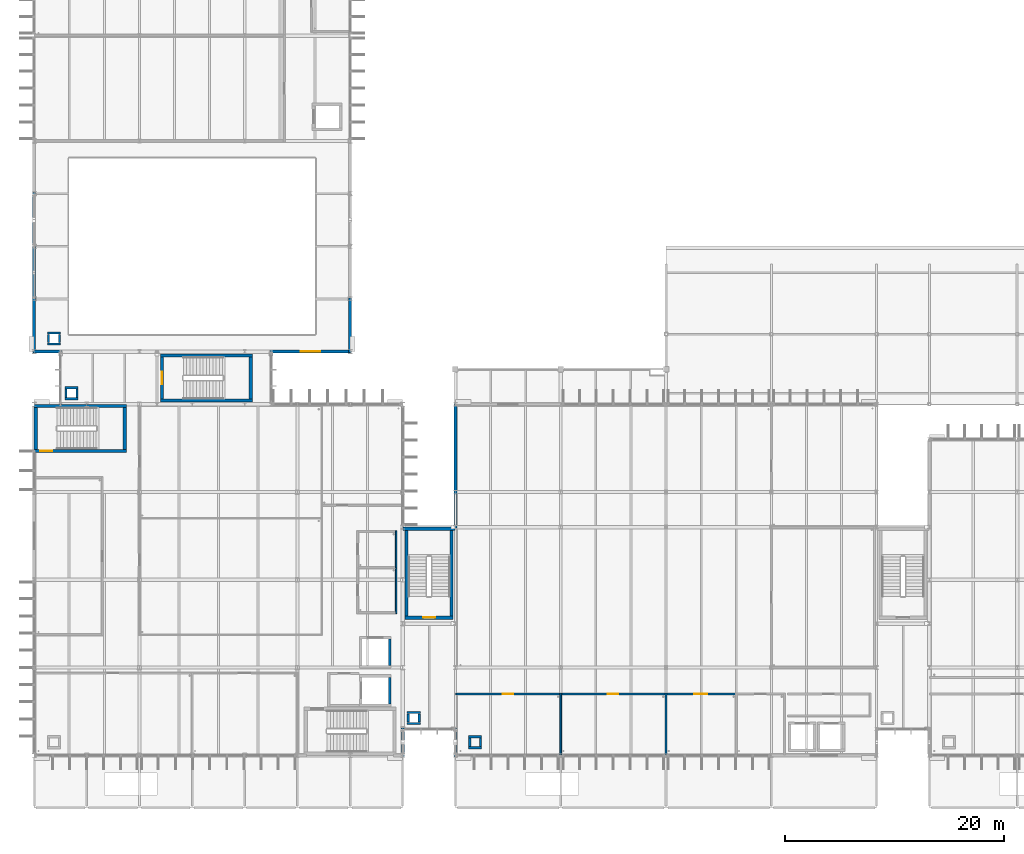
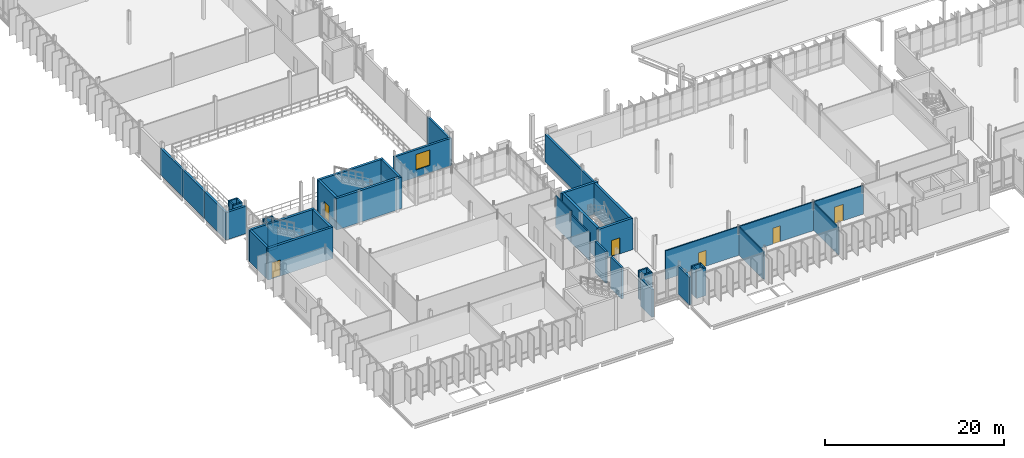
# One storey, part 61 of 107: 46 walls, 6 doors, 1 window, 7 openings.
"""IFC4 building model written with IfcOpenShell, lengths in metres."""

from ifc_helpers import new_model, si_unit, direction, frame, frame_2d, origin, place, context, subcontext, project, spatial, rectangle, extrude, material, layer, layer_set, type_object, element, fill, save


model = new_model("IFC4")

# Units and contexts
model_context = context("Model", 3, precision=1e-05, world=origin(), true_north=direction((0.0, 1.0)))
body_context = subcontext(model_context, "Body", "Model", "MODEL_VIEW")
ifc_project = project(units=[si_unit("LENGTHUNIT", "METRE"), si_unit("AREAUNIT", "SQUARE_METRE"), si_unit("VOLUMEUNIT", "CUBIC_METRE"), si_unit("PLANEANGLEUNIT", "RADIAN"), si_unit("MASSUNIT", "GRAM", prefix="KILO")], contexts=[model_context])

# Site, building, storey
site_placement = place(None, origin())
site = spatial("IfcSite", under=ifc_project, at=site_placement, CompositionType="ELEMENT")
building_placement = place(site_placement, origin())
building = spatial("IfcBuilding", under=site, at=building_placement, Name="Dunescarp Central Library", CompositionType="ELEMENT")
storey_placement = place(building_placement, frame((0.0, 0.0, 5.10009765625)))
storey = spatial("IfcBuildingStorey", under=building, at=storey_placement, Name="L01", CompositionType="ELEMENT", Elevation=5.10009765625)

# Wall, opening, door
ifc_material_1 = material(Name="Gypsum plasterboard acoustic partition")
ifc_layer_1 = layer(ifc_material_1, 0.14990234375)
ifc_layer_set_1 = layer_set([ifc_layer_1], Name="Gypsum plasterboard acoustic partition")
wall_type_1 = type_object("IfcWallType", Name="ARC-PT-AC150", PredefinedType="PARTITIONING", material=ifc_layer_set_1)
wall_1_placement = place(storey_placement, frame((38.43994140625, 10.39990234375, 0.0), z_axis=(0.0, 0.0, 1.0), x_axis=(1.0, 0.0, 0.0)))
wall_1 = element("IfcWall", 1, at=wall_1_placement, inside=storey, type_object=wall_type_1, Name="L01 partition PT-L01-0166", PredefinedType="PARTITIONING", context=body_context, shape_type="SweptSolid", body=[
    extrude(rectangle(XDim=9.485107421875, YDim=0.14990234375, at=frame_2d((4.74267578125, 0.0))), origin(), (0.0, 0.0, 1.0), 3.90478515625),
])
opening_1_placement = place(wall_1_placement, frame((4.26806640625, 0.0, 0.0)))
opening_1 = element("IfcOpeningElement", 2, at=opening_1_placement, cuts=wall_1, Name="Opening DR-L01-0064", PredefinedType="OPENING", context=body_context, shape_type="SweptSolid", body=[
    extrude(rectangle(XDim=0.949951171875, YDim=2.14990234375, at=frame_2d((0.47509765625, 1.074951171875))), frame((0.0, 0.0849609375, 0.0), z_axis=(0.0, -1.0, 0.0), x_axis=(1.0, 0.0, 0.0)), (0.0, 0.0, 1.0), 0.169921875),
])
ifc_material_2 = material(Name="Hardwood solid-core timber leaf", Category="wood")
door_type_1 = type_object("IfcDoorType", Name="ARC-DR-INT950", OperationType="NOTDEFINED", PredefinedType="DOOR", material=ifc_material_2)
door_1_placement = place(opening_1_placement, origin())
door_1 = element("IfcDoor", 3, at=door_1_placement, inside=storey, type_object=door_type_1, Name="L01 interior door DR-L01-0064", OperationType="SINGLE_SWING_RIGHT", OverallHeight=2.14990234375, OverallWidth=0.949951171875, PredefinedType="DOOR", context=body_context, shape_type="SweptSolid", body=[
    extrude(rectangle(XDim=0.949951171875, YDim=2.14990234375, at=frame_2d((0.47509765625, 1.074951171875))), frame((0.0, 0.02490234375, 0.0), z_axis=(0.0, -1.0, 0.0), x_axis=(1.0, 0.0, 0.0)), (0.0, 0.0, 1.0), 0.050048828125),
])
fill(opening_1, door_1)

# Wall
wall_2_placement = place(storey_placement, frame((48.0, 4.840087890625, 0.0), z_axis=(0.0, 0.0, 1.0), x_axis=(0.0, 1.0, 0.0)))
element("IfcWall", 4, at=wall_2_placement, inside=storey, type_object=wall_type_1, Name="L01 partition PT-L01-0167", PredefinedType="PARTITIONING", context=body_context, shape_type="SweptSolid", body=[
    extrude(rectangle(XDim=5.635009765625, YDim=0.14990234375, at=frame_2d((2.8173828125, 0.0))), origin(), (0.0, 0.0, 1.0), 3.764892578125),
])

# Wall, opening, door
wall_3_placement = place(storey_placement, frame((48.0, 10.39990234375, 0.0), z_axis=(0.0, 0.0, 1.0), x_axis=(1.0, 0.0, 0.0)))
wall_3 = element("IfcWall", 5, at=wall_3_placement, inside=storey, type_object=wall_type_1, Name="L01 partition PT-L01-0168", PredefinedType="PARTITIONING", context=body_context, shape_type="SweptSolid", body=[
    extrude(rectangle(XDim=9.52490234375, YDim=0.14990234375, at=frame_2d((4.762451171875, 0.0))), origin(), (0.0, 0.0, 1.0), 3.90478515625),
])
opening_2_placement = place(wall_3_placement, frame((4.287109375, 0.0, 0.0)))
opening_2 = element("IfcOpeningElement", 6, at=opening_2_placement, cuts=wall_3, Name="Opening DR-L01-0065", PredefinedType="OPENING", context=body_context, shape_type="SweptSolid", body=[
    extrude(rectangle(XDim=0.949951171875, YDim=2.14990234375, at=frame_2d((0.47509765625, 1.074951171875))), frame((0.0, 0.0849609375, 0.0), z_axis=(0.0, -1.0, 0.0), x_axis=(1.0, 0.0, 0.0)), (0.0, 0.0, 1.0), 0.169921875),
])
door_2_placement = place(opening_2_placement, origin())
door_2 = element("IfcDoor", 7, at=door_2_placement, inside=storey, type_object=door_type_1, Name="L01 interior door DR-L01-0065", OperationType="SINGLE_SWING_LEFT", OverallHeight=2.14990234375, OverallWidth=0.949951171875, PredefinedType="DOOR", context=body_context, shape_type="SweptSolid", body=[
    extrude(rectangle(XDim=0.949951171875, YDim=2.14990234375, at=frame_2d((0.47509765625, 1.074951171875))), frame((0.0, 0.02490234375, 0.0), z_axis=(0.0, -1.0, 0.0), x_axis=(1.0, 0.0, 0.0)), (0.0, 0.0, 1.0), 0.050048828125),
])
fill(opening_2, door_2)

# Wall
wall_4_placement = place(storey_placement, frame((57.60009765625, 4.840087890625, 0.0), z_axis=(0.0, 0.0, 1.0), x_axis=(0.0, 1.0, 0.0)))
element("IfcWall", 8, at=wall_4_placement, inside=storey, type_object=wall_type_1, Name="L01 partition PT-L01-0169", PredefinedType="PARTITIONING", context=body_context, shape_type="SweptSolid", body=[
    extrude(rectangle(XDim=5.635009765625, YDim=0.14990234375, at=frame_2d((2.8173828125, 0.0))), origin(), (0.0, 0.0, 1.0), 3.764892578125),
])

# Wall, opening, door
wall_5_placement = place(storey_placement, frame((57.60009765625, 10.39990234375, 0.0), z_axis=(0.0, 0.0, 1.0), x_axis=(1.0, 0.0, 0.0)))
wall_5 = element("IfcWall", 9, at=wall_5_placement, inside=storey, type_object=wall_type_1, Name="L01 partition PT-L01-0170", PredefinedType="PARTITIONING", context=body_context, shape_type="SweptSolid", body=[
    extrude(rectangle(XDim=6.324951171875, YDim=0.14990234375, at=frame_2d((3.16259765625, 0.0))), origin(), (0.0, 0.0, 1.0), 3.90478515625),
])
opening_3_placement = place(wall_5_placement, frame((2.5869140625, 0.0, 0.0)))
opening_3 = element("IfcOpeningElement", 10, at=opening_3_placement, cuts=wall_5, Name="Opening DR-L01-0066", PredefinedType="OPENING", context=body_context, shape_type="SweptSolid", body=[
    extrude(rectangle(XDim=1.14990234375, YDim=2.25, at=frame_2d((0.574951171875, 1.125))), frame((0.0, 0.0849609375, 0.0), z_axis=(0.0, -1.0, 0.0), x_axis=(1.0, 0.0, 0.0)), (0.0, 0.0, 1.0), 0.169921875),
])
door_type_2 = type_object("IfcDoorType", Name="ARC-DR-STD1150", OperationType="NOTDEFINED", PredefinedType="DOOR", material=ifc_material_2)
door_3_placement = place(opening_3_placement, origin())
door_3 = element("IfcDoor", 11, at=door_3_placement, inside=storey, type_object=door_type_2, Name="L01 interior door DR-L01-0066", OperationType="SINGLE_SWING_RIGHT", OverallHeight=2.25, OverallWidth=1.14990234375, PredefinedType="DOOR", context=body_context, shape_type="SweptSolid", body=[
    extrude(rectangle(XDim=1.14990234375, YDim=2.25, at=frame_2d((0.574951171875, 1.125))), frame((0.0, 0.02490234375, 0.0), z_axis=(0.0, -1.0, 0.0), x_axis=(1.0, 0.0, 0.0)), (0.0, 0.0, 1.0), 0.050048828125),
])
fill(opening_3, door_3)

# Walls
ifc_material_3 = material(Name="Autoclaved aerated concrete block", Category="concrete")
ifc_layer_2 = layer(ifc_material_3, 0.139892578125)
ifc_layer_set_2 = layer_set([ifc_layer_2], Name="Autoclaved aerated concrete block")
wall_type_2 = type_object("IfcWallType", Name="ARC-PT-WET140", PredefinedType="PARTITIONING", material=ifc_layer_set_2)
wall_6_placement = place(storey_placement, frame((33.0, 17.72998046875, 0.0), z_axis=(0.0, 0.0, 1.0), x_axis=(0.0, 1.0, 0.0)))
element("IfcWall", 12, at=wall_6_placement, inside=storey, type_object=wall_type_2, Name="L01 partition PT-L01-0029", PredefinedType="PARTITIONING", context=body_context, shape_type="SweptSolid", body=[
    extrude(rectangle(XDim=4.239990234375, YDim=0.139892578125, at=frame_2d((2.1201171875, 0.0))), origin(), (0.0, 0.0, 1.0), 3.764892578125),
])
wall_7_placement = place(storey_placement, frame((33.0, 21.89990234375, 0.0), z_axis=(0.0, 0.0, 1.0), x_axis=(0.0, 1.0, 0.0)))
element("IfcWall", 13, at=wall_7_placement, inside=storey, type_object=wall_type_2, Name="L01 partition PT-L01-0032", PredefinedType="PARTITIONING", context=body_context, shape_type="SweptSolid", body=[
    extrude(rectangle(XDim=3.3701171875, YDim=0.139892578125, at=frame_2d((1.68505859375, 0.0))), origin(), (0.0, 0.0, 1.0), 4.289794921875),
])
ifc_material_4 = material(Name="Glass-fibre reinforced concrete GRC", Category="concrete")
ifc_layer_3 = layer(ifc_material_4, 0.260009765625)
ifc_layer_set_3 = layer_set([ifc_layer_3], Name="Glass-fibre reinforced concrete GRC")
wall_type_3 = type_object("IfcWallType", Name="ARC-WL-GRC260", PredefinedType="SOLIDWALL", material=ifc_layer_set_3)
wall_8_placement = place(storey_placement, frame((38.39990234375, 4.715087890625, 0.0), z_axis=(0.0, 0.0, 1.0), x_axis=(0.0, 1.0, 0.0)))
element("IfcWall", 14, at=wall_8_placement, inside=storey, type_object=wall_type_3, Name="L01 external wall EW-V2-039", PredefinedType="SOLIDWALL", context=body_context, shape_type="SweptSolid", body=[
    extrude(rectangle(XDim=2.56982421875, YDim=0.260009765625, at=frame_2d((1.284912109375, 0.0))), origin(), (0.0, 0.0, 1.0), 3.764892578125),
])
wall_9_placement = place(storey_placement, frame((38.39990234375, 25.514892578125, 0.0), z_axis=(0.0, 0.0, 1.0), x_axis=(0.0, 1.0, 0.0)))
element("IfcWall", 15, at=wall_9_placement, inside=storey, type_object=wall_type_3, Name="L01 external wall EW-V2-040", PredefinedType="SOLIDWALL", context=body_context, shape_type="SweptSolid", body=[
    extrude(rectangle(XDim=11.3701171875, YDim=0.260009765625, at=frame_2d((5.68505859375, 0.0))), origin(), (0.0, 0.0, 1.0), 3.764892578125),
])
ifc_layer_4 = layer(ifc_material_4, 0.280029296875)
ifc_layer_set_4 = layer_set([ifc_layer_4], Name="Glass-fibre reinforced concrete GRC")
wall_type_4 = type_object("IfcWallType", Name="ARC-WL-GRC280", PredefinedType="SOLIDWALL", material=ifc_layer_set_4)
wall_10_placement = place(storey_placement, frame((33.60009765625, 7.284912109375, 0.0), z_axis=(0.0, 0.0, 1.0), x_axis=(0.0, -1.0, 0.0)))
element("IfcWall", 16, at=wall_10_placement, inside=storey, type_object=wall_type_4, Name="L01 external wall EW-V1-009", PredefinedType="SOLIDWALL", context=body_context, shape_type="SweptSolid", body=[
    extrude(rectangle(XDim=2.56982421875, YDim=0.280029296875, at=frame_2d((1.284912109375, 0.0))), origin(), (0.0, 0.0, 1.0), 3.764892578125),
])
wall_11_placement = place(storey_placement, frame((2.485107421875, 41.60009765625, 0.0), z_axis=(0.0, 0.0, 1.0), x_axis=(-1.0, 0.0, 0.0)))
element("IfcWall", 17, at=wall_11_placement, inside=storey, type_object=wall_type_4, Name="L01 external wall EW-V4-115", PredefinedType="SOLIDWALL", context=body_context, shape_type="SweptSolid", body=[
    extrude(rectangle(XDim=2.570068359375, YDim=0.280029296875, at=frame_2d((1.28515625, 0.0))), origin(), (0.0, 0.0, 1.0), 3.73193359375),
])

# Wall, opening, window
wall_12_placement = place(storey_placement, frame((28.885009765625, 41.60009765625, 0.0), z_axis=(0.0, 0.0, 1.0), x_axis=(-1.0, 0.0, 0.0)))
wall_12 = element("IfcWall", 18, at=wall_12_placement, inside=storey, type_object=wall_type_4, Name="L01 external wall EW-V4-116", PredefinedType="SOLIDWALL", context=body_context, shape_type="SweptSolid", body=[
    extrude(rectangle(XDim=7.3701171875, YDim=0.280029296875, at=frame_2d((3.68505859375, 0.0))), origin(), (0.0, 0.0, 1.0), 3.73193359375),
])
opening_4_placement = place(wall_12_placement, frame((2.784912109375, 0.0, 1.0)))
opening_4 = element("IfcOpeningElement", 19, at=opening_4_placement, cuts=wall_12, Name="Opening WN-V4S-L01", PredefinedType="OPENING", context=body_context, shape_type="SweptSolid", body=[
    extrude(rectangle(XDim=1.800048828125, YDim=2.10009765625, at=frame_2d((0.89990234375, 1.050048828125))), frame((0.0, 0.14990234375, 0.0), z_axis=(0.0, -1.0, 0.0), x_axis=(1.0, 0.0, 0.0)), (0.0, 0.0, 1.0), 0.300048828125),
])
ifc_material_5 = material(Name="Solar-control laminated double glazing", Category="glass")
window_type = type_object("IfcWindowType", Name="ARC-WN-1800X2100", PartitioningType="SINGLE_PANEL", PredefinedType="WINDOW", material=ifc_material_5)
window_placement = place(opening_4_placement, origin())
window = element("IfcWindow", 20, at=window_placement, inside=storey, type_object=window_type, Name="L01 window WN-V4S-L01", OverallHeight=2.10009765625, OverallWidth=1.800048828125, PartitioningType="SINGLE_PANEL", PredefinedType="WINDOW", context=body_context, shape_type="SweptSolid", body=[
    extrude(rectangle(XDim=1.800048828125, YDim=2.10009765625, at=frame_2d((0.89990234375, 1.050048828125))), frame((0.0, 0.030029296875, 0.0), z_axis=(0.0, -1.0, 0.0), x_axis=(1.0, 0.0, 0.0)), (0.0, 0.0, 1.0), 0.06005859375),
])
fill(opening_4, window)

# Walls
for number, where, z_axis, x_axis, name in (
    (21, (0.0, 41.514892578125, 0.0), (0.0, 0.0, 1.0), (0.0, 1.0, 0.0), "L01 external wall EW-V4-117"),
    (22, (28.800048828125, 46.485107421875, 0.0), (0.0, 0.0, 1.0), (0.0, -1.0, 0.0), "L01 external wall EW-V4-118"),
):
    element("IfcWall", number, at=place(storey_placement, frame(where, z_axis=z_axis, x_axis=x_axis)), inside=storey, type_object=wall_type_4, Name=name, PredefinedType="SOLIDWALL", context=body_context, shape_type="SweptSolid", body=[
        extrude(rectangle(XDim=4.97021484375, YDim=0.280029296875, at=frame_2d((2.485107421875, 0.0))), origin(), (0.0, 0.0, 1.0), 3.664794921875),
    ])
for number, where, z_axis, x_axis, name in (
    (23, (0.0, 46.31494140625, 0.0), (0.0, 0.0, 1.0), (0.0, 1.0, 0.0), "L01 external wall EW-V4-119"),
    (24, (0.0, 51.114990234375, 0.0), (0.0, 0.0, 1.0), (0.0, 1.0, 0.0), "L01 external wall EW-V4-121"),
):
    element("IfcWall", number, at=place(storey_placement, frame(where, z_axis=z_axis, x_axis=x_axis)), inside=storey, type_object=wall_type_4, Name=name, PredefinedType="SOLIDWALL", context=body_context, shape_type="SweptSolid", body=[
        extrude(rectangle(XDim=4.969970703125, YDim=0.280029296875, at=frame_2d((2.48486328125, 0.0))), origin(), (0.0, 0.0, 1.0), 3.664794921875),
    ])
ifc_material_6 = material(Name="Concrete C35/45", Category="concrete")
ifc_layer_5 = layer(ifc_material_6, 0.199951171875)
ifc_layer_set_5 = layer_set([ifc_layer_5], Name="Concrete C35/45")
wall_type_5 = type_object("IfcWallType", Name="ARC-WL-RISER200", PredefinedType="PARTITIONING", material=ifc_layer_set_5)
for number, where, z_axis, x_axis, name in (
    (25, (40.800048828125, 5.5, 0.0), (0.0, 0.0, 1.0), (-1.0, 0.0, 0.0), "L01 V2 duct shaft wall S"),
    (26, (39.60009765625, 6.5, 0.0), (0.0, 0.0, 1.0), (1.0, 0.0, 0.0), "L01 V2 duct shaft wall N"),
):
    element("IfcWall", number, at=place(storey_placement, frame(where, z_axis=z_axis, x_axis=x_axis)), inside=storey, type_object=wall_type_5, Name=name, PredefinedType="PARTITIONING", context=body_context, shape_type="SweptSolid", body=[
        extrude(rectangle(XDim=1.199951171875, YDim=0.199951171875, at=frame_2d((0.60009765625, 0.0))), origin(), (0.0, 0.0, 1.0), 3.789794921875),
    ])
for number, where, z_axis, x_axis, name in (
    (27, (39.699951171875, 5.6201171875, 0.0), (0.0, 0.0, 1.0), (0.0, 1.0, 0.0), "L01 V2 duct shaft wall W"),
    (28, (40.699951171875, 6.3798828125, 0.0), (0.0, 0.0, 1.0), (0.0, -1.0, 0.0), "L01 V2 duct shaft wall E"),
):
    element("IfcWall", number, at=place(storey_placement, frame(where, z_axis=z_axis, x_axis=x_axis)), inside=storey, type_object=wall_type_5, Name=name, PredefinedType="PARTITIONING", context=body_context, shape_type="SweptSolid", body=[
        extrude(rectangle(XDim=0.759765625, YDim=0.199951171875, at=frame_2d((0.3798828125, 0.0))), origin(), (0.0, 0.0, 1.0), 3.789794921875),
    ])
for number, where, z_axis, x_axis, name in (
    (29, (2.39990234375, 42.300048828125, 0.0), (0.0, 0.0, 1.0), (-1.0, 0.0, 0.0), "L01 V4 duct shaft wall S"),
    (30, (1.199951171875, 43.300048828125, 0.0), (0.0, 0.0, 1.0), (1.0, 0.0, 0.0), "L01 V4 duct shaft wall N"),
):
    element("IfcWall", number, at=place(storey_placement, frame(where, z_axis=z_axis, x_axis=x_axis)), inside=storey, type_object=wall_type_5, Name=name, PredefinedType="PARTITIONING", context=body_context, shape_type="SweptSolid", body=[
        extrude(rectangle(XDim=1.199951171875, YDim=0.199951171875, at=frame_2d((0.60009765625, 0.0))), origin(), (0.0, 0.0, 1.0), 3.789794921875),
    ])
for number, where, z_axis, x_axis, name in (
    (31, (1.300048828125, 42.419921875, 0.0), (0.0, 0.0, 1.0), (0.0, 1.0, 0.0), "L01 V4 duct shaft wall W"),
    (32, (2.300048828125, 43.179931640625, 0.0), (0.0, 0.0, 1.0), (0.0, -1.0, 0.0), "L01 V4 duct shaft wall E"),
):
    element("IfcWall", number, at=place(storey_placement, frame(where, z_axis=z_axis, x_axis=x_axis)), inside=storey, type_object=wall_type_5, Name=name, PredefinedType="PARTITIONING", context=body_context, shape_type="SweptSolid", body=[
        extrude(rectangle(XDim=0.760009765625, YDim=0.199951171875, at=frame_2d((0.3798828125, 0.0))), origin(), (0.0, 0.0, 1.0), 3.789794921875),
    ])
for number, where, z_axis, x_axis, name in (
    (33, (35.199951171875, 7.699951171875, 0.0), (0.0, 0.0, 1.0), (-1.0, 0.0, 0.0), "L01 GL1 duct shaft wall S"),
    (34, (34.0, 8.699951171875, 0.0), (0.0, 0.0, 1.0), (1.0, 0.0, 0.0), "L01 GL1 duct shaft wall N"),
):
    element("IfcWall", number, at=place(storey_placement, frame(where, z_axis=z_axis, x_axis=x_axis)), inside=storey, type_object=wall_type_5, Name=name, PredefinedType="PARTITIONING", context=body_context, shape_type="SweptSolid", body=[
        extrude(rectangle(XDim=1.199951171875, YDim=0.199951171875, at=frame_2d((0.60009765625, 0.0))), origin(), (0.0, 0.0, 1.0), 3.789794921875),
    ])
for number, where, z_axis, x_axis, name in (
    (35, (34.10009765625, 7.820068359375, 0.0), (0.0, 0.0, 1.0), (0.0, 1.0, 0.0), "L01 GL1 duct shaft wall W"),
    (36, (35.10009765625, 8.580078125, 0.0), (0.0, 0.0, 1.0), (0.0, -1.0, 0.0), "L01 GL1 duct shaft wall E"),
):
    element("IfcWall", number, at=place(storey_placement, frame(where, z_axis=z_axis, x_axis=x_axis)), inside=storey, type_object=wall_type_5, Name=name, PredefinedType="PARTITIONING", context=body_context, shape_type="SweptSolid", body=[
        extrude(rectangle(XDim=0.760009765625, YDim=0.199951171875, at=frame_2d((0.3798828125, 0.0))), origin(), (0.0, 0.0, 1.0), 3.789794921875),
    ])
for number, where, z_axis, x_axis, name in (
    (37, (4.0, 37.300048828125, 0.0), (0.0, 0.0, 1.0), (-1.0, 0.0, 0.0), "L01 GL4 duct shaft wall S"),
    (38, (2.800048828125, 38.300048828125, 0.0), (0.0, 0.0, 1.0), (1.0, 0.0, 0.0), "L01 GL4 duct shaft wall N"),
):
    element("IfcWall", number, at=place(storey_placement, frame(where, z_axis=z_axis, x_axis=x_axis)), inside=storey, type_object=wall_type_5, Name=name, PredefinedType="PARTITIONING", context=body_context, shape_type="SweptSolid", body=[
        extrude(rectangle(XDim=1.199951171875, YDim=0.199951171875, at=frame_2d((0.60009765625, 0.0))), origin(), (0.0, 0.0, 1.0), 3.789794921875),
    ])
for number, where, z_axis, x_axis, name in (
    (39, (2.89990234375, 37.419921875, 0.0), (0.0, 0.0, 1.0), (0.0, 1.0, 0.0), "L01 GL4 duct shaft wall W"),
    (40, (3.89990234375, 38.179931640625, 0.0), (0.0, 0.0, 1.0), (0.0, -1.0, 0.0), "L01 GL4 duct shaft wall E"),
):
    element("IfcWall", number, at=place(storey_placement, frame(where, z_axis=z_axis, x_axis=x_axis)), inside=storey, type_object=wall_type_5, Name=name, PredefinedType="PARTITIONING", context=body_context, shape_type="SweptSolid", body=[
        extrude(rectangle(XDim=0.760009765625, YDim=0.199951171875, at=frame_2d((0.3798828125, 0.0))), origin(), (0.0, 0.0, 1.0), 3.789794921875),
    ])
ifc_material_7 = material(Name="Concrete C40/50", Category="concrete")
ifc_layer_6 = layer(ifc_material_7, 0.25)
ifc_layer_set_6 = layer_set([ifc_layer_6], Name="Concrete C40/50")
wall_type_6 = type_object("IfcWallType", Name="STR-WL-CORE250", PredefinedType="SHEAR", material=ifc_layer_set_6)
for number, where, z_axis, x_axis, name in (
    (41, (32.425048828125, 11.89990234375, 0.0), (0.0, 0.0, 1.0), (0.0, -1.0, 0.0), "L01 FFL-1 lift shaft wall E"),
    (42, (32.425048828125, 15.39990234375, 0.0), (0.0, 0.0, 1.0), (0.0, -1.0, 0.0), "L01 SL-1 lift shaft wall E"),
):
    element("IfcWall", number, at=place(storey_placement, frame(where, z_axis=z_axis, x_axis=x_axis)), inside=storey, type_object=wall_type_6, Name=name, PredefinedType="SHEAR", context=body_context, shape_type="SweptSolid", body=[
        extrude(rectangle(XDim=2.39990234375, YDim=0.25, at=frame_2d((1.199951171875, 0.0))), origin(), (0.0, 0.0, 1.0), 4.289794921875),
    ])

# Wall, opening, door
ifc_layer_7 = layer(ifc_material_7, 0.300048828125)
ifc_layer_set_7 = layer_set([ifc_layer_7], Name="Concrete C40/50")
wall_type_7 = type_object("IfcWallType", Name="STR-WL-CORE300", PredefinedType="SHEAR", material=ifc_layer_set_7)
wall_13_placement = place(storey_placement, frame((8.39990234375, 32.550048828125, 0.0), z_axis=(0.0, 0.0, 1.0), x_axis=(-1.0, 0.0, 0.0)))
wall_13 = element("IfcWall", 43, at=wall_13_placement, inside=storey, type_object=wall_type_7, Name="L01 ST-6 south core wall", PredefinedType="SHEAR", context=body_context, shape_type="SweptSolid", body=[
    extrude(rectangle(XDim=8.39990234375, YDim=0.300048828125, at=frame_2d((4.199951171875, 0.0))), origin(), (0.0, 0.0, 1.0), 4.289794921875),
])
opening_5_placement = place(wall_13_placement, frame((6.75, 0.0, 0.0)))
opening_5 = element("IfcOpeningElement", 44, at=opening_5_placement, cuts=wall_13, Name="Opening D-ST-6-L01", PredefinedType="OPENING", context=body_context, shape_type="SweptSolid", body=[
    extrude(rectangle(XDim=1.10009765625, YDim=2.199951171875, at=frame_2d((0.550048828125, 1.10009765625))), frame((0.0, 0.16015625, 0.0), z_axis=(0.0, -1.0, 0.0), x_axis=(1.0, 0.0, 0.0)), (0.0, 0.0, 1.0), 0.320068359375),
])
ifc_material_8 = material(Name="Galvanised steel FD120S", Category="steel")
door_type_3 = type_object("IfcDoorType", Name="ARC-DR-STAIR", OperationType="NOTDEFINED", PredefinedType="DOOR", material=ifc_material_8)
door_4_placement = place(opening_5_placement, origin())
door_4 = element("IfcDoor", 45, at=door_4_placement, inside=storey, type_object=door_type_3, Name="L01 ST-6 fire stair door", OperationType="SINGLE_SWING_RIGHT", OverallHeight=2.199951171875, OverallWidth=1.10009765625, PredefinedType="DOOR", context=body_context, shape_type="SweptSolid", body=[
    extrude(rectangle(XDim=1.10009765625, YDim=2.199951171875, at=frame_2d((0.550048828125, 1.10009765625))), frame((0.0, 0.02490234375, 0.0), z_axis=(0.0, -1.0, 0.0), x_axis=(1.0, 0.0, 0.0)), (0.0, 0.0, 1.0), 0.050048828125),
])
fill(opening_5, door_4)

# Walls
wall_14_placement = place(storey_placement, frame((0.0, 36.64990234375, 0.0), z_axis=(0.0, 0.0, 1.0), x_axis=(1.0, 0.0, 0.0)))
element("IfcWall", 46, at=wall_14_placement, inside=storey, type_object=wall_type_7, Name="L01 ST-6 north core wall", PredefinedType="SHEAR", context=body_context, shape_type="SweptSolid", body=[
    extrude(rectangle(XDim=8.39990234375, YDim=0.300048828125, at=frame_2d((4.199951171875, 0.0))), origin(), (0.0, 0.0, 1.0), 4.289794921875),
])
for number, where, z_axis, x_axis, name in (
    (47, (0.14990234375, 32.699951171875, 0.0), (0.0, 0.0, 1.0), (0.0, 1.0, 0.0), "L01 ST-6 west core wall"),
    (48, (8.25, 36.5, 0.0), (0.0, 0.0, 1.0), (0.0, -1.0, 0.0), "L01 ST-6 east core wall"),
):
    element("IfcWall", number, at=place(storey_placement, frame(where, z_axis=z_axis, x_axis=x_axis)), inside=storey, type_object=wall_type_7, Name=name, PredefinedType="SHEAR", context=body_context, shape_type="SweptSolid", body=[
        extrude(rectangle(XDim=3.800048828125, YDim=0.300048828125, at=frame_2d((1.89990234375, 0.0))), origin(), (0.0, 0.0, 1.0), 4.289794921875),
    ])

# Wall, opening, door
wall_15_placement = place(storey_placement, frame((38.199951171875, 17.35009765625, 0.0), z_axis=(0.0, 0.0, 1.0), x_axis=(-1.0, 0.0, 0.0)))
wall_15 = element("IfcWall", 49, at=wall_15_placement, inside=storey, type_object=wall_type_7, Name="L01 ST-2 south core wall", PredefinedType="SHEAR", context=body_context, shape_type="SweptSolid", body=[
    extrude(rectangle(XDim=4.39990234375, YDim=0.300048828125, at=frame_2d((2.199951171875, 0.0))), origin(), (0.0, 0.0, 1.0), 4.289794921875),
])
opening_6_placement = place(wall_15_placement, frame((1.64990234375, 0.0, 0.0)))
opening_6 = element("IfcOpeningElement", 50, at=opening_6_placement, cuts=wall_15, Name="Opening D-ST-2-L01", PredefinedType="OPENING", context=body_context, shape_type="SweptSolid", body=[
    extrude(rectangle(XDim=1.10009765625, YDim=2.199951171875, at=frame_2d((0.550048828125, 1.10009765625))), frame((0.0, 0.16015625, 0.0), z_axis=(0.0, -1.0, 0.0), x_axis=(1.0, 0.0, 0.0)), (0.0, 0.0, 1.0), 0.320068359375),
])
door_5_placement = place(opening_6_placement, origin())
door_5 = element("IfcDoor", 51, at=door_5_placement, inside=storey, type_object=door_type_3, Name="L01 ST-2 fire stair door", OperationType="SINGLE_SWING_LEFT", OverallHeight=2.199951171875, OverallWidth=1.10009765625, PredefinedType="DOOR", context=body_context, shape_type="SweptSolid", body=[
    extrude(rectangle(XDim=1.10009765625, YDim=2.199951171875, at=frame_2d((0.550048828125, 1.10009765625))), frame((0.0, 0.02490234375, 0.0), z_axis=(0.0, -1.0, 0.0), x_axis=(1.0, 0.0, 0.0)), (0.0, 0.0, 1.0), 0.050048828125),
])
fill(opening_6, door_5)

# Walls
wall_16_placement = place(storey_placement, frame((33.6201171875, 25.449951171875, 0.0), z_axis=(0.0, 0.0, 1.0), x_axis=(1.0, 0.0, 0.0)))
element("IfcWall", 52, at=wall_16_placement, inside=storey, type_object=wall_type_7, Name="L01 ST-2 north core wall", PredefinedType="SHEAR", context=body_context, shape_type="SweptSolid", body=[
    extrude(rectangle(XDim=4.759765625, YDim=0.300048828125, at=frame_2d((2.3798828125, 0.0))), origin(), (0.0, 0.0, 1.0), 4.289794921875),
])
for number, where, z_axis, x_axis, name in (
    (53, (33.949951171875, 17.5, 0.0), (0.0, 0.0, 1.0), (0.0, 1.0, 0.0), "L01 ST-2 west core wall"),
    (54, (38.050048828125, 25.300048828125, 0.0), (0.0, 0.0, 1.0), (0.0, -1.0, 0.0), "L01 ST-2 east core wall"),
):
    element("IfcWall", number, at=place(storey_placement, frame(where, z_axis=z_axis, x_axis=x_axis)), inside=storey, type_object=wall_type_7, Name=name, PredefinedType="SHEAR", context=body_context, shape_type="SweptSolid", body=[
        extrude(rectangle(XDim=7.800048828125, YDim=0.300048828125, at=frame_2d((3.89990234375, 0.0))), origin(), (0.0, 0.0, 1.0), 4.289794921875),
    ])
for number, where, z_axis, x_axis, name in (
    (55, (19.89990234375, 37.14990234375, 0.0), (0.0, 0.0, 1.0), (-1.0, 0.0, 0.0), "L01 ST-4 south core wall"),
    (56, (11.5, 41.25, 0.0), (0.0, 0.0, 1.0), (1.0, 0.0, 0.0), "L01 ST-4 north core wall"),
):
    element("IfcWall", number, at=place(storey_placement, frame(where, z_axis=z_axis, x_axis=x_axis)), inside=storey, type_object=wall_type_7, Name=name, PredefinedType="SHEAR", context=body_context, shape_type="SweptSolid", body=[
        extrude(rectangle(XDim=8.39990234375, YDim=0.300048828125, at=frame_2d((4.199951171875, 0.0))), origin(), (0.0, 0.0, 1.0), 4.289794921875),
    ])

# Wall, opening, door
wall_17_placement = place(storey_placement, frame((11.64990234375, 37.300048828125, 0.0), z_axis=(0.0, 0.0, 1.0), x_axis=(0.0, 1.0, 0.0)))
wall_17 = element("IfcWall", 57, at=wall_17_placement, inside=storey, type_object=wall_type_7, Name="L01 ST-4 west core wall", PredefinedType="SHEAR", context=body_context, shape_type="SweptSolid", body=[
    extrude(rectangle(XDim=3.800048828125, YDim=0.300048828125, at=frame_2d((1.89990234375, 0.0))), origin(), (0.0, 0.0, 1.0), 4.289794921875),
])
opening_7_placement = place(wall_17_placement, frame((1.35009765625, 0.0, 0.0)))
opening_7 = element("IfcOpeningElement", 58, at=opening_7_placement, cuts=wall_17, Name="Opening D-ST-4-L01", PredefinedType="OPENING", context=body_context, shape_type="SweptSolid", body=[
    extrude(rectangle(XDim=1.10009765625, YDim=2.199951171875, at=frame_2d((0.550048828125, 1.10009765625))), frame((0.0, 0.16015625, 0.0), z_axis=(0.0, -1.0, 0.0), x_axis=(1.0, 0.0, 0.0)), (0.0, 0.0, 1.0), 0.320068359375),
])
door_6_placement = place(opening_7_placement, origin())
door_6 = element("IfcDoor", 59, at=door_6_placement, inside=storey, type_object=door_type_3, Name="L01 ST-4 fire stair door", OperationType="SINGLE_SWING_RIGHT", OverallHeight=2.199951171875, OverallWidth=1.10009765625, PredefinedType="DOOR", context=body_context, shape_type="SweptSolid", body=[
    extrude(rectangle(XDim=1.10009765625, YDim=2.199951171875, at=frame_2d((0.550048828125, 1.10009765625))), frame((0.0, 0.02490234375, 0.0), z_axis=(0.0, -1.0, 0.0), x_axis=(1.0, 0.0, 0.0)), (0.0, 0.0, 1.0), 0.050048828125),
])
fill(opening_7, door_6)

# Wall
wall_18_placement = place(storey_placement, frame((19.75, 41.10009765625, 0.0), z_axis=(0.0, 0.0, 1.0), x_axis=(0.0, -1.0, 0.0)))
element("IfcWall", 60, at=wall_18_placement, inside=storey, type_object=wall_type_7, Name="L01 ST-4 east core wall", PredefinedType="SHEAR", context=body_context, shape_type="SweptSolid", body=[
    extrude(rectangle(XDim=3.800048828125, YDim=0.300048828125, at=frame_2d((1.89990234375, 0.0))), origin(), (0.0, 0.0, 1.0), 4.289794921875),
])

save(model, "model.ifc")
